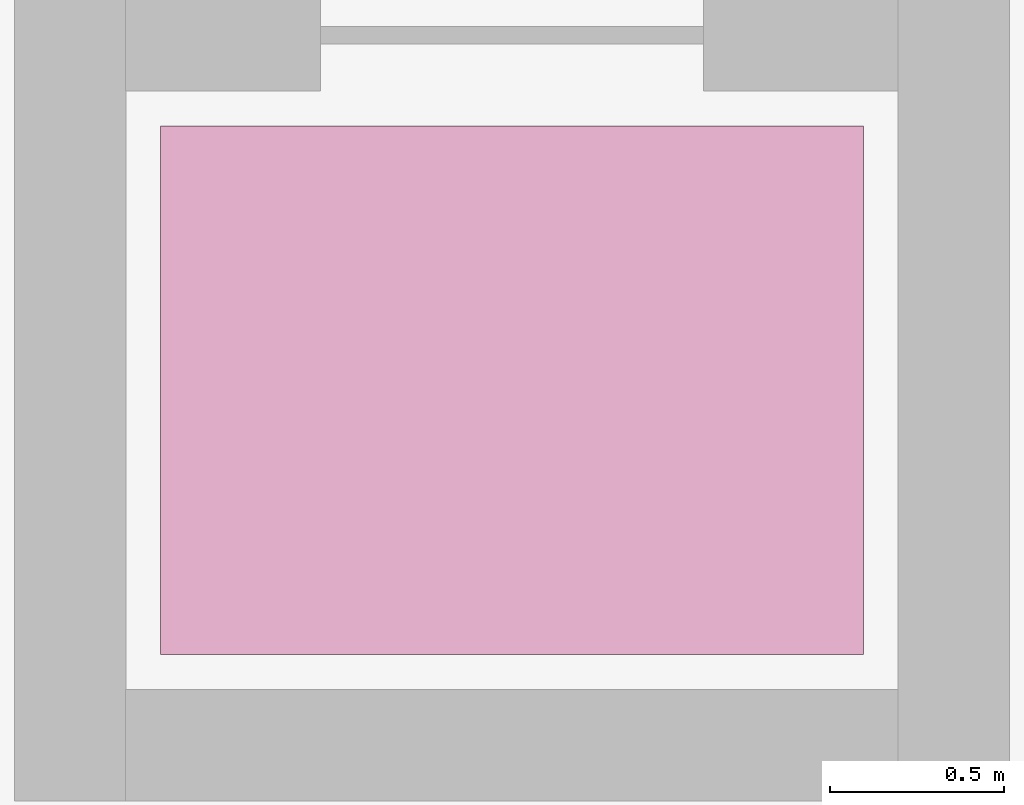
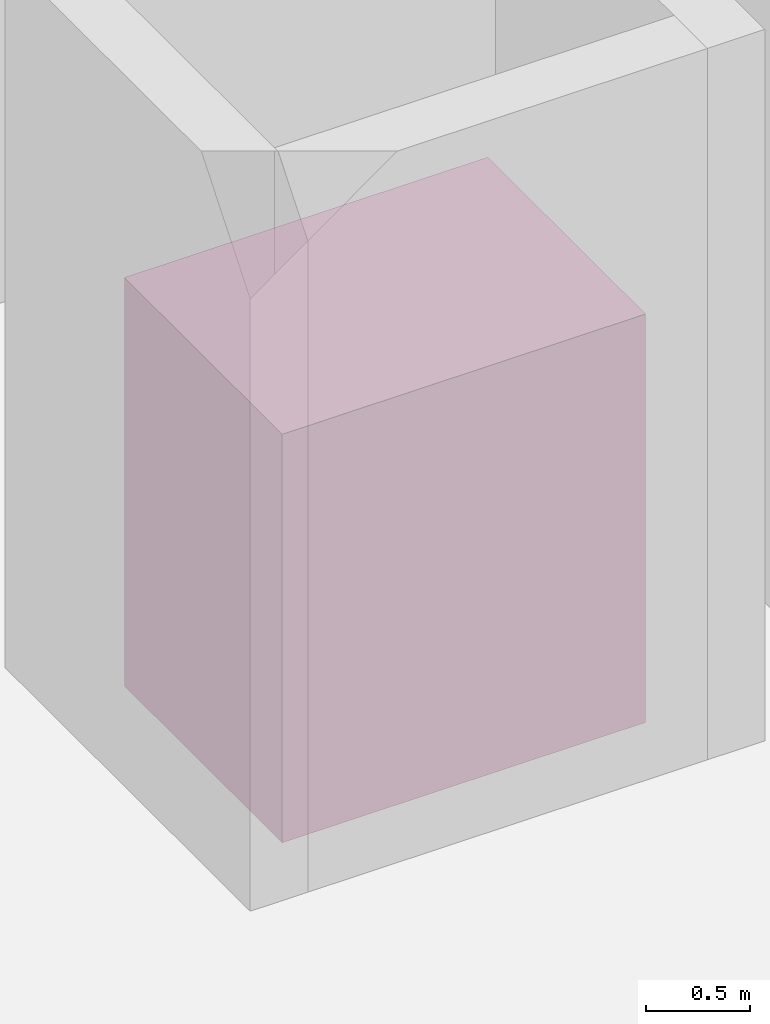
# One storey, part 28 of 28: 1 transport element.
"""IFC4 building model written with IfcOpenShell, lengths in metres."""

from ifc_helpers import new_model, si_unit, direction, frame, origin, origin_2d, place, context, subcontext, project, spatial, rectangle, extrude, material, type_object, element, save


model = new_model("IFC4")

# Units and contexts
model_context = context("Model", 3, precision=1e-05, world=origin(), true_north=direction((0.0, 1.0)))
body_context = subcontext(model_context, "Body", "Model", "MODEL_VIEW")
ifc_project = project(units=[si_unit("LENGTHUNIT", "METRE"), si_unit("AREAUNIT", "SQUARE_METRE"), si_unit("VOLUMEUNIT", "CUBIC_METRE"), si_unit("PLANEANGLEUNIT", "RADIAN"), si_unit("MASSUNIT", "GRAM", prefix="KILO")], contexts=[model_context])

# Site, building, storey
site_placement = place(None, origin())
site = spatial("IfcSite", under=ifc_project, at=site_placement, CompositionType="ELEMENT")
building_placement = place(site_placement, origin())
building = spatial("IfcBuilding", under=site, at=building_placement, Name="Brevholm Reach", CompositionType="ELEMENT")
storey_placement = place(building_placement, origin())
storey = spatial("IfcBuildingStorey", under=building, at=storey_placement, Name="L00", CompositionType="ELEMENT", Elevation=0.0)

# Transport element
ifc_material = material(Name="Brushed Satin Stainless Steel EN 1.4301 Lift Cab", Category="steel")
transport_element_type = type_object("IfcTransportElementType", Name="LFT-SHT-1800", PredefinedType="ELEVATOR", material=ifc_material)
transport_element_placement = place(storey_placement, frame((40.1201171875, 8.5, 0.0), z_axis=(0.0, 0.0, 1.0), x_axis=(1.0, 0.0, 0.0)))
element("IfcTransportElement", 1, at=transport_element_placement, inside=storey, type_object=transport_element_type, Name="Sky Shuttle Passenger Lift PL-S1", PredefinedType="ELEVATOR", context=body_context, shape_type="SweptSolid", body=[
    extrude(rectangle(XDim=2.02001953125, YDim=1.52001953125, at=origin_2d()), origin(), (0.0, 0.0, 1.0), 2.39990234375),
])

save(model, "model.ifc")
